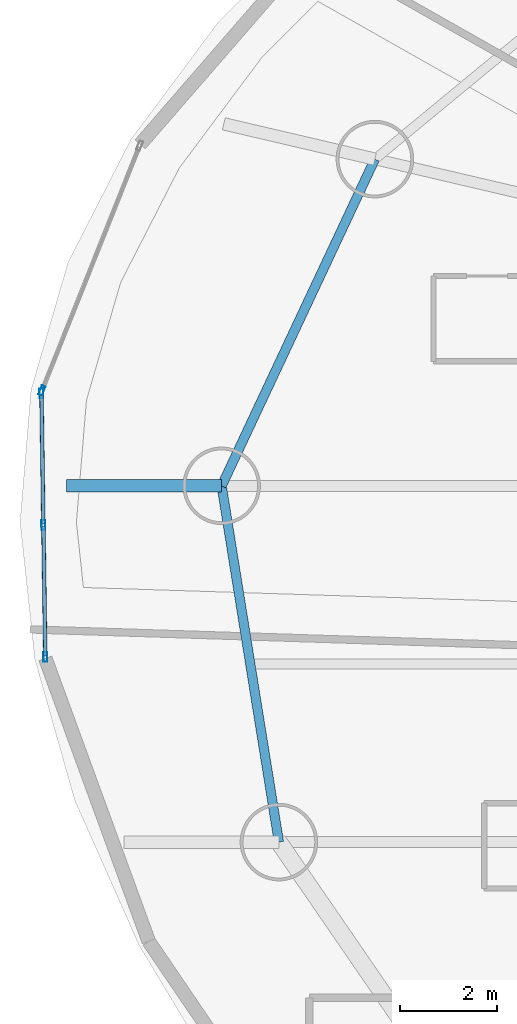
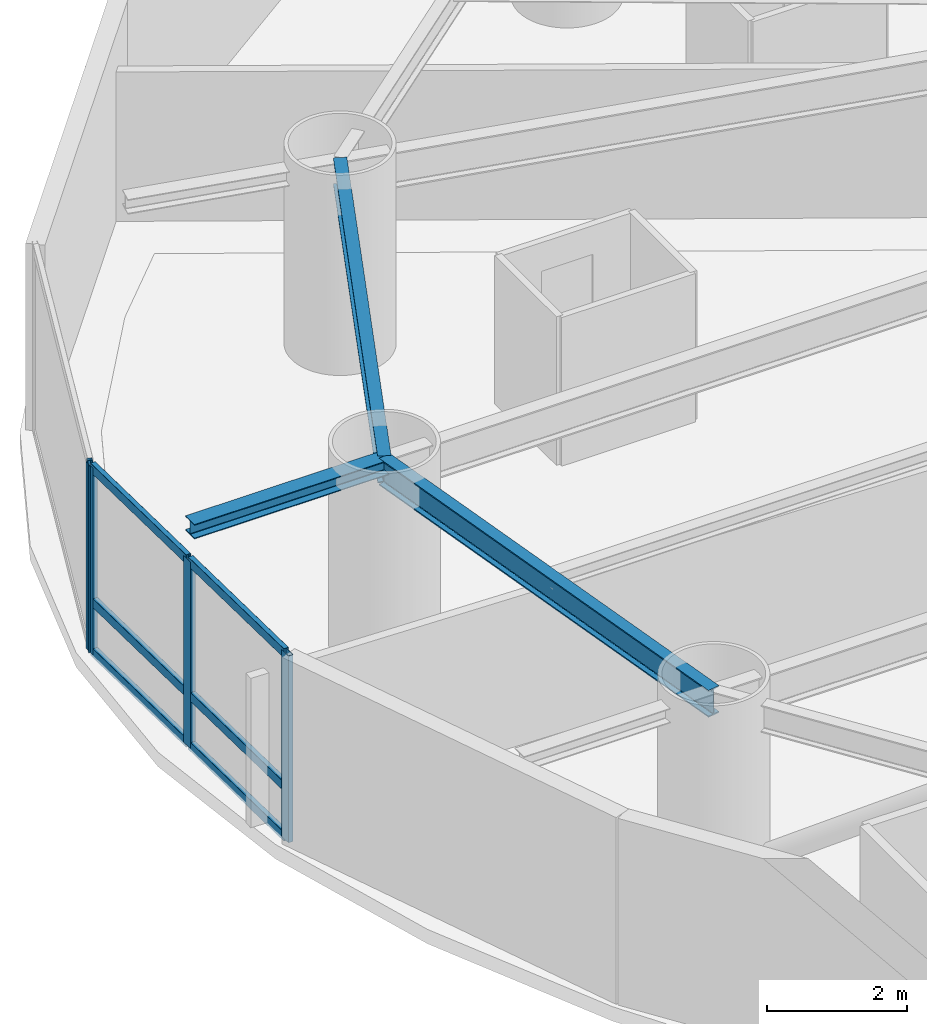
# One storey, part 4 of 26: 10 members, 3 beams, 2 elements without a shape of their own.
"""IFC4 building model written with IfcOpenShell, lengths in metres."""

from ifc_helpers import new_model, si_unit, direction, frame, origin, origin_2d, place, context, subcontext, project, spatial, hollow_rectangle, i_section, extrude, material, layer, layer_set, material_profile, profile_set, type_object, element, aggregate, save


model = new_model("IFC4")

# Units and contexts
model_context = context("Model", 3, precision=1e-05, world=origin(), true_north=direction((0.0, 1.0)))
body_context = subcontext(model_context, "Body", "Model", "MODEL_VIEW")
ifc_project = project(units=[si_unit("LENGTHUNIT", "METRE"), si_unit("AREAUNIT", "SQUARE_METRE"), si_unit("VOLUMEUNIT", "CUBIC_METRE"), si_unit("PLANEANGLEUNIT", "RADIAN"), si_unit("MASSUNIT", "GRAM", prefix="KILO")], contexts=[model_context])

# Site, building, storey
site_placement = place(None, origin())
site = spatial("IfcSite", under=ifc_project, at=site_placement, CompositionType="ELEMENT")
building_placement = place(site_placement, origin())
building = spatial("IfcBuilding", under=site, at=building_placement, Name="Bramvorn Convention Spire", CompositionType="ELEMENT")
storey_placement = place(building_placement, frame((0.0, 0.0, 76.39990234375)))
storey = spatial("IfcBuildingStorey", under=building, at=storey_placement, Name="L17", CompositionType="ELEMENT", Elevation=76.39990234375)

# Beams
ifc_material_1 = material(Name="Steel CSA G40.21 Grade 350 (350W)", Category="steel")
ifc_material_profile_1 = material_profile(ifc_material_1, i_section(OverallWidth=0.25390625, OverallDepth=0.2529296875, WebThickness=0.008544921875, FlangeThickness=0.01416015625, FilletRadius=0.011962890625, at=origin_2d()))
ifc_profile_set_1 = profile_set([ifc_material_profile_1], Name="Steel CSA G40.21 Grade 350 (350W) - W250X73")
beam_type_1 = type_object("IfcBeamType", Name="BM-W250X73", PredefinedType="BEAM", material=ifc_profile_set_1)
beam_placement = place(storey_placement, frame((9.480224609375, 30.00830078125, 3.12353515625), z_axis=(-1.0, 0.0, 0.0), x_axis=(0.0, -1.0, 0.0)))
element("IfcBeam", 1, at=beam_placement, inside=storey, type_object=beam_type_1, Name="L17 slab-edge cantilever tip beam MC09", PredefinedType="BEAM", context=body_context, shape_type="SweptSolid", body=[
    extrude(i_section(OverallWidth=0.25390625, OverallDepth=0.2529296875, WebThickness=0.008544921875, FlangeThickness=0.01416015625, FilletRadius=0.011962890625, at=origin_2d()), origin(), (0.0, 0.0, 1.0), 3.199951171875),
])
ifc_material_profile_2 = material_profile(ifc_material_1, i_section(OverallWidth=0.194091796875, OverallDepth=0.468994140625, WebThickness=0.0126953125, FlangeThickness=0.0205078125, FilletRadius=0.01806640625, at=origin_2d()))
ifc_profile_set_2 = profile_set([ifc_material_profile_2], Name="Steel CSA G40.21 Grade 350 (350W) - W460X106")
beam_type_2 = type_object("IfcBeamType", Name="BM-W460X106", PredefinedType="SPANDREL", material=ifc_profile_set_2)
for number, where, z_axis, x_axis, name in (
    (2, (12.64111328125, 36.746337890625, 3.015625), (-0.424701955478, -0.9053332254, 0.0), (0.9053332254, -0.424701955478, 0.0), "L17 mega-column ring beam 08"),
    (3, (9.480224609375, 30.00830078125, 3.015625), (0.158699222824, -0.987326975563, 0.0), (0.987326975563, 0.158699222824, 0.0), "L17 mega-column ring beam 09"),
):
    element("IfcBeam", number, at=place(storey_placement, frame(where, z_axis=z_axis, x_axis=x_axis)), inside=storey, type_object=beam_type_2, Name=name, PredefinedType="SPANDREL", context=body_context, shape_type="SweptSolid", body=[
        extrude(i_section(OverallWidth=0.194091796875, OverallDepth=0.468994140625, WebThickness=0.0126953125, FlangeThickness=0.0205078125, FilletRadius=0.01806640625, at=origin_2d()), origin(), (0.0, 0.0, 1.0), 7.442626953125),
    ])

# Curtain wall, member
ifc_material_2 = material(Name="Anodised Bronze Unitised Curtain Wall", Category="aluminium")
ifc_layer = layer(ifc_material_2, 0.179931640625)
ifc_layer_set = layer_set([ifc_layer], Name="Anodised Bronze Unitised Curtain Wall - CW-HTL-FRIT")
curtain_wall_type = type_object("IfcCurtainWallType", Name="CW-HTL-FRIT", PredefinedType="USERDEFINED", material=ifc_layer_set)
curtain_wall_1_placement = place(storey_placement, origin())
curtain_wall_1 = element("IfcCurtainWall", 4, at=curtain_wall_1_placement, inside=storey, type_object=curtain_wall_type, Name="L17 fritted glass curtain wall 12", ObjectType="UNITISED CURTAIN WALL", PredefinedType="USERDEFINED")
ifc_material_3 = material(Name="Anodised Bronze Aluminium 6063-T6", Category="aluminium")
ifc_material_profile_3 = material_profile(ifc_material_3, hollow_rectangle(XDim=0.080078125, YDim=0.199951171875, WallThickness=0.00390625, InnerFilletRadius=0.0009765625, OuterFilletRadius=0.00390625, at=origin_2d()))
ifc_profile_set_3 = profile_set([ifc_material_profile_3], Name="Anodised Bronze Aluminium 6063-T6 - CWM80X200")
member_type_1 = type_object("IfcMemberType", Name="CW-MUL-180", PredefinedType="MULLION", material=ifc_profile_set_3)
member_1_placement = place(storey_placement, frame((5.77490234375, 31.973388671875, 0.0), z_axis=(0.0, 0.0, 1.0), x_axis=(-0.928887606161, 0.370361735497, 0.0)))
member_1 = element("IfcMember", 5, at=member_1_placement, type_object=member_type_1, Name="CW2 mullion 1", PredefinedType="MULLION", context=body_context, shape_type="SweptSolid", body=[
    extrude(hollow_rectangle(XDim=0.080078125, YDim=0.199951171875, WallThickness=0.00390625, InnerFilletRadius=0.0009765625, OuterFilletRadius=0.00390625, at=origin_2d()), origin(), (0.0, 0.0, 1.0), 3.25),
])
aggregate(curtain_wall_1, [member_1])

# Curtain wall, members
curtain_wall_2_placement = place(storey_placement, origin())
curtain_wall_2 = element("IfcCurtainWall", 6, at=curtain_wall_2_placement, inside=storey, type_object=curtain_wall_type, Name="L17 fritted glass curtain wall 13", ObjectType="UNITISED CURTAIN WALL", PredefinedType="USERDEFINED")
member_2_placement = place(storey_placement, frame((5.84375, 26.478759765625, 0.0), z_axis=(0.0, 0.0, 1.0), x_axis=(-0.999893050994, -0.014624861525, 0.0)))
member_2 = element("IfcMember", 7, at=member_2_placement, type_object=member_type_1, Name="CW2 mullion 1", PredefinedType="MULLION", context=body_context, shape_type="SweptSolid", body=[
    extrude(hollow_rectangle(XDim=0.080078125, YDim=0.199951171875, WallThickness=0.00390625, InnerFilletRadius=0.0009765625, OuterFilletRadius=0.00390625, at=origin_2d()), origin(), (0.0, 0.0, 1.0), 3.25),
])
member_3_placement = place(storey_placement, frame((5.803955078125, 29.197265625, 0.0), z_axis=(0.0, 0.0, 1.0), x_axis=(-0.999893050994, -0.014624861525, 0.0)))
member_3 = element("IfcMember", 8, at=member_3_placement, type_object=member_type_1, Name="CW2 mullion 2", PredefinedType="MULLION", context=body_context, shape_type="SweptSolid", body=[
    extrude(hollow_rectangle(XDim=0.080078125, YDim=0.199951171875, WallThickness=0.00390625, InnerFilletRadius=0.0009765625, OuterFilletRadius=0.00390625, at=origin_2d()), origin(), (0.0, 0.0, 1.0), 3.25),
])
member_4_placement = place(storey_placement, frame((5.76416015625, 31.91552734375, 0.0), z_axis=(0.0, 0.0, 1.0), x_axis=(-0.999893050994, -0.014624861525, 0.0)))
member_4 = element("IfcMember", 9, at=member_4_placement, type_object=member_type_1, Name="CW2 mullion 3", PredefinedType="MULLION", context=body_context, shape_type="SweptSolid", body=[
    extrude(hollow_rectangle(XDim=0.080078125, YDim=0.199951171875, WallThickness=0.00390625, InnerFilletRadius=0.0009765625, OuterFilletRadius=0.00390625, at=origin_2d()), origin(), (0.0, 0.0, 1.0), 3.25),
])
ifc_material_profile_4 = material_profile(ifc_material_3, hollow_rectangle(XDim=0.080078125, YDim=0.159912109375, WallThickness=0.00390625, InnerFilletRadius=0.0009765625, OuterFilletRadius=0.00390625, at=origin_2d()))
ifc_profile_set_4 = profile_set([ifc_material_profile_4], Name="Anodised Bronze Aluminium 6063-T6 - CWT80X160")
member_type_2 = type_object("IfcMemberType", Name="CW-TRN-150", PredefinedType="USERDEFINED", material=ifc_profile_set_4)
member_5_placement = place(storey_placement, frame((5.84326171875, 26.5087890625, 0.030029296875), z_axis=(-0.014600335393, 0.999893409422, 0.0), x_axis=(-0.999893409422, -0.014600335393, 0.0)))
member_5 = element("IfcMember", 10, at=member_5_placement, type_object=member_type_2, Name="CW2 transom 1.1", ObjectType="TRANSOM", PredefinedType="USERDEFINED", context=body_context, shape_type="SweptSolid", body=[
    extrude(hollow_rectangle(XDim=0.080078125, YDim=0.159912109375, WallThickness=0.00390625, InnerFilletRadius=0.0009765625, OuterFilletRadius=0.00390625, at=origin_2d()), origin(), (0.0, 0.0, 1.0), 2.65869140625),
])
member_6_placement = place(storey_placement, frame((5.84326171875, 26.5087890625, 0.900146484375), z_axis=(-0.014600335393, 0.999893409422, 0.0), x_axis=(-0.999893409422, -0.014600335393, 0.0)))
member_6 = element("IfcMember", 11, at=member_6_placement, type_object=member_type_2, Name="CW2 transom 1.2", ObjectType="TRANSOM", PredefinedType="USERDEFINED", context=body_context, shape_type="SweptSolid", body=[
    extrude(hollow_rectangle(XDim=0.080078125, YDim=0.159912109375, WallThickness=0.00390625, InnerFilletRadius=0.0009765625, OuterFilletRadius=0.00390625, at=origin_2d()), origin(), (0.0, 0.0, 1.0), 2.65869140625),
])
member_7_placement = place(storey_placement, frame((5.84326171875, 26.5087890625, 3.22021484375), z_axis=(-0.014600335393, 0.999893409422, 0.0), x_axis=(-0.999893409422, -0.014600335393, 0.0)))
member_7 = element("IfcMember", 12, at=member_7_placement, type_object=member_type_2, Name="CW2 transom 1.3", ObjectType="TRANSOM", PredefinedType="USERDEFINED", context=body_context, shape_type="SweptSolid", body=[
    extrude(hollow_rectangle(XDim=0.080078125, YDim=0.159912109375, WallThickness=0.00390625, InnerFilletRadius=0.0009765625, OuterFilletRadius=0.00390625, at=origin_2d()), origin(), (0.0, 0.0, 1.0), 2.65869140625),
])
member_8_placement = place(storey_placement, frame((5.803466796875, 29.22705078125, 0.030029296875), z_axis=(-0.014600335393, 0.999893409422, 0.0), x_axis=(-0.999893409422, -0.014600335393, 0.0)))
member_8 = element("IfcMember", 13, at=member_8_placement, type_object=member_type_2, Name="CW2 transom 2.1", ObjectType="TRANSOM", PredefinedType="USERDEFINED", context=body_context, shape_type="SweptSolid", body=[
    extrude(hollow_rectangle(XDim=0.080078125, YDim=0.159912109375, WallThickness=0.00390625, InnerFilletRadius=0.0009765625, OuterFilletRadius=0.00390625, at=origin_2d()), origin(), (0.0, 0.0, 1.0), 2.65869140625),
])
member_9_placement = place(storey_placement, frame((5.803466796875, 29.22705078125, 0.900146484375), z_axis=(-0.014600335393, 0.999893409422, 0.0), x_axis=(-0.999893409422, -0.014600335393, 0.0)))
member_9 = element("IfcMember", 14, at=member_9_placement, type_object=member_type_2, Name="CW2 transom 2.2", ObjectType="TRANSOM", PredefinedType="USERDEFINED", context=body_context, shape_type="SweptSolid", body=[
    extrude(hollow_rectangle(XDim=0.080078125, YDim=0.159912109375, WallThickness=0.00390625, InnerFilletRadius=0.0009765625, OuterFilletRadius=0.00390625, at=origin_2d()), origin(), (0.0, 0.0, 1.0), 2.65869140625),
])
member_10_placement = place(storey_placement, frame((5.803466796875, 29.22705078125, 3.22021484375), z_axis=(-0.014600335393, 0.999893409422, 0.0), x_axis=(-0.999893409422, -0.014600335393, 0.0)))
member_10 = element("IfcMember", 15, at=member_10_placement, type_object=member_type_2, Name="CW2 transom 2.3", ObjectType="TRANSOM", PredefinedType="USERDEFINED", context=body_context, shape_type="SweptSolid", body=[
    extrude(hollow_rectangle(XDim=0.080078125, YDim=0.159912109375, WallThickness=0.00390625, InnerFilletRadius=0.0009765625, OuterFilletRadius=0.00390625, at=origin_2d()), origin(), (0.0, 0.0, 1.0), 2.65869140625),
])
aggregate(curtain_wall_2, [member_2, member_3, member_4, member_5, member_6, member_7, member_8, member_9, member_10])

save(model, "model.ifc")
